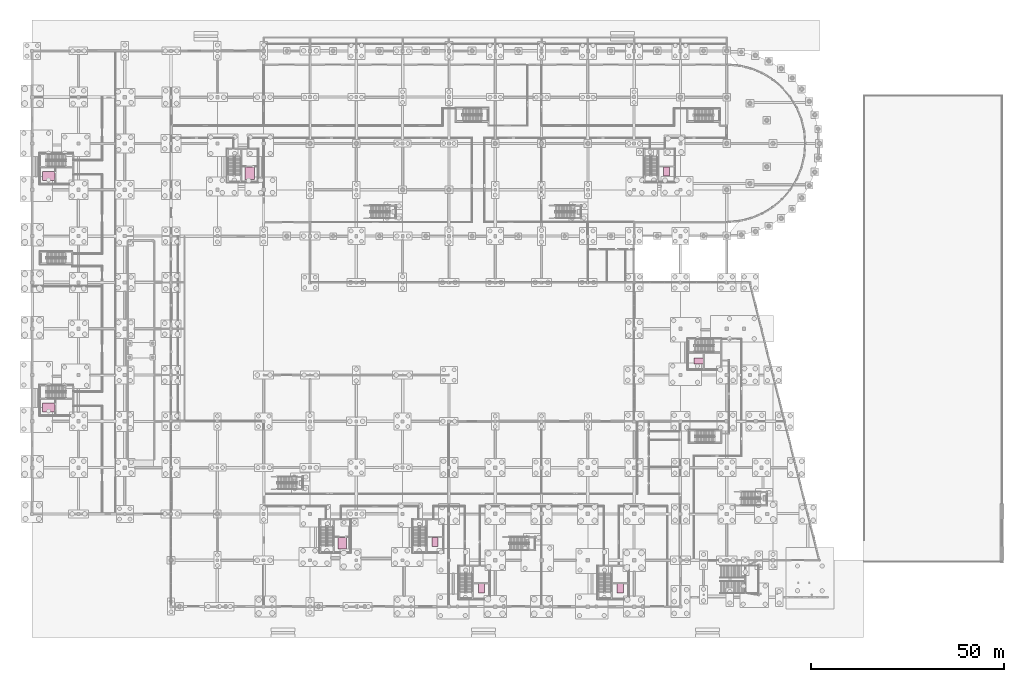
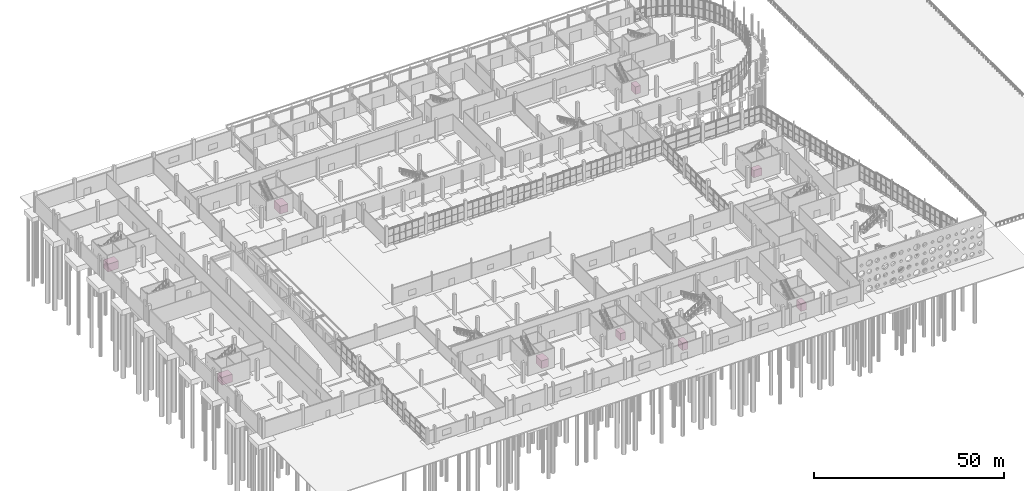
# One storey, part 117 of 117: 9 transport elements.
"""IFC4 building model written with IfcOpenShell, lengths in metres."""

import ifcopenshell
import ifcopenshell.guid

model = None  # the IFC model being written
_history = None  # IfcOwnerHistory: only IFC2X3 demands one
_inside = {}  # id of a spatial element -> (the spatial element, [elements in it])
_under = {}  # id of a project, library or spatial element -> (it, [spatial elements below it])
_declared = {}  # id of a project -> (the project, [libraries it declares])
_typed = {}  # id of a type object -> (the type object, [elements of that type])
_made_of = {}  # id of a material, layer set ... -> (it, [elements and type objects made of it])


def new_model(schema):
    """Start an empty IFC model of exactly this schema.

    Asked for "IFC4X3", IfcOpenShell would pick the latest addendum, in which some entities
    have other attributes; the version numbers below select the first issue.
    IFC2X3 requires an IfcOwnerHistory on every rooted entity: one is made here for all.
    """
    global model, _history
    if schema == "IFC4X3":
        model = ifcopenshell.file(schema_version=(4, 3, 0, 0))
    else:
        model = ifcopenshell.file(schema=schema)
    _inside.clear()
    _under.clear()
    _declared.clear()
    _typed.clear()
    _made_of.clear()
    _history = None
    if model.schema == "IFC2X3":
        org = make("IfcOrganization", Name="unknown")
        user = make(
            "IfcPersonAndOrganization",
            ThePerson=make("IfcPerson", FamilyName="unknown"),
            TheOrganization=org,
        )
        app = make(
            "IfcApplication",
            ApplicationDeveloper=org,
            Version="unknown",
            ApplicationFullName="unknown",
            ApplicationIdentifier="unknown",
        )
        _history = make(
            "IfcOwnerHistory",
            OwningUser=user,
            OwningApplication=app,
            ChangeAction="ADDED",
            CreationDate=0,
        )
    return model


def make(cls, **values):
    """One entity of the class cls with the attributes given. An attribute that is None is left unset."""
    return model.create_entity(
        cls, **{name: value for name, value in values.items() if value is not None}
    )


def rooted(cls, **values):
    """An entity with a GlobalId (a new one), such as an element, a storey or a relation."""
    return make(cls, GlobalId=ifcopenshell.guid.new(), OwnerHistory=_history, **values)


def si_unit(unit_type, name, prefix=None):
    """IfcSIUnit, for example si_unit("LENGTHUNIT", "METRE", prefix="MILLI")."""
    return make("IfcSIUnit", UnitType=unit_type, Prefix=prefix, Name=name)


def assignment(units):
    """IfcUnitAssignment: the units of a project."""
    return None if units is None else make("IfcUnitAssignment", Units=units)


def point(xyz):
    """IfcCartesianPoint."""
    return None if xyz is None else make("IfcCartesianPoint", Coordinates=xyz)


def direction(xyz):
    """IfcDirection."""
    return None if xyz is None else make("IfcDirection", DirectionRatios=xyz)


def frame(location, z_axis=None, x_axis=None):
    """IfcAxis2Placement3D, a coordinate frame: its origin and axes. An axis left out is left unset."""
    return make(
        "IfcAxis2Placement3D",
        Location=point(location),
        Axis=direction(z_axis),
        RefDirection=direction(x_axis),
    )


def frame_2d(location, x_axis=None):
    """IfcAxis2Placement2D, a coordinate frame in the plane: its origin and x axis."""
    return make(
        "IfcAxis2Placement2D", Location=point(location), RefDirection=direction(x_axis)
    )


def origin():
    """The frame at (0, 0, 0) with its axes left unset."""
    return frame((0.0, 0.0, 0.0))


def origin_2d():
    """The frame at (0, 0) in the plane with its x axis left unset."""
    return frame_2d((0.0, 0.0))


def place(relative_to, where):
    """IfcLocalPlacement: puts the frame where relative to a parent placement (None: the world)."""
    return make(
        "IfcLocalPlacement", PlacementRelTo=relative_to, RelativePlacement=where
    )


def context(
    kind, dimensions, precision=None, world=None, true_north=None, identifier=None
):
    """IfcGeometricRepresentationContext, for example the 3D "Model" context."""
    return make(
        "IfcGeometricRepresentationContext",
        ContextIdentifier=identifier,
        ContextType=kind,
        CoordinateSpaceDimension=dimensions,
        Precision=precision,
        WorldCoordinateSystem=world,
        TrueNorth=true_north,
    )


def subcontext(parent, identifier, kind, view, scale=None):
    """IfcGeometricRepresentationSubContext, for example "Body" below "Model"."""
    return make(
        "IfcGeometricRepresentationSubContext",
        ContextIdentifier=identifier,
        ContextType=kind,
        ParentContext=parent,
        TargetScale=scale,
        TargetView=view,
    )


def project(units=None, contexts=None):
    """IfcProject with its units and contexts."""
    return rooted(
        "IfcProject",
        Name="project",
        RepresentationContexts=contexts,
        UnitsInContext=assignment(units),
    )


def spatial(cls, under=None, at=None, **own):
    """A site, building, storey or space (cls), placed at a placement, below another one or the project."""
    s = rooted(cls, ObjectPlacement=at, **own)
    if under is not None:
        _under.setdefault(under.id(), (under, []))[1].append(s)
    return s


def profile(cls, at=None, kind="AREA", **sizes):
    """A parametric profile (cls). Its sizes go by their IFC names, for example OverallWidth=200.0."""
    return make(cls, ProfileType=kind, Position=at, **sizes)


def rectangle(**sizes):
    """IfcRectangleProfileDef."""
    return profile("IfcRectangleProfileDef", **sizes)


def extrude(swept, where, along, depth):
    """IfcExtrudedAreaSolid: the profile swept, set in the frame where, extruded along a direction by depth."""
    return make(
        "IfcExtrudedAreaSolid",
        SweptArea=swept,
        Position=where,
        ExtrudedDirection=direction(along),
        Depth=depth,
    )


def shape(context_of_items, identifier, shape_type, items):
    """IfcShapeRepresentation: the items that make up one representation, for example the "Body"."""
    return make(
        "IfcShapeRepresentation",
        ContextOfItems=context_of_items,
        RepresentationIdentifier=identifier,
        RepresentationType=shape_type,
        Items=items,
    )


def material(Name=None, Category=None):
    """IfcMaterial."""
    return make("IfcMaterial", Name=Name, Category=Category)


def made_of(thing, what):
    """Note that an element or type object is made of a material, layer set ...; save() writes the relation."""
    if what is not None:
        _made_of.setdefault(what.id(), (what, []))[1].append(thing)
    return thing


def type_object(cls, material=None, **own):
    """A type object (cls), such as IfcWallType, which elements share."""
    return made_of(rooted(cls, **own), material)


def element(
    cls,
    number,
    at=None,
    inside=None,
    cuts=None,
    type_object=None,
    material=None,
    context=None,
    identifier="Body",
    shape_type=None,
    held_by="IfcProductDefinitionShape",
    body=None,
    shapes=None,
    **own,
):
    """One element of the class cls, such as IfcWall. Its Tag is "e" and its number.

    at: its placement. inside: the storey or other place that contains it. cuts: it is an
    opening in that element (IfcRelVoidsElement). A single representation is given by context,
    identifier, shape_type and body (its items); several are given by shapes. held_by: the class
    of the entity that holds the representations. save() writes the other relations.
    """
    e = rooted(cls, Tag="e%d" % number, ObjectPlacement=at, **own)
    if body is not None:
        shapes = [shape(context, identifier, shape_type, body)]
    if shapes is not None:
        e.Representation = make(held_by, Representations=shapes)
    if inside is not None:
        _inside.setdefault(inside.id(), (inside, []))[1].append(e)
    if cuts is not None:
        rooted(
            "IfcRelVoidsElement", RelatingBuildingElement=cuts, RelatedOpeningElement=e
        )
    if type_object is not None:
        _typed.setdefault(type_object.id(), (type_object, []))[1].append(e)
    return made_of(e, material)


def aggregate(whole, parts):
    """IfcRelAggregates: a whole, such as a stair, and the parts it consists of."""
    return rooted("IfcRelAggregates", RelatingObject=whole, RelatedObjects=parts)


def save(model, path):
    """Write the relations noted so far, then the file.

    IfcRelAggregates (storeys below a building ...), IfcRelContainedInSpatialStructure (elements
    in a storey), IfcRelDefinesByType, IfcRelAssociatesMaterial and IfcRelDeclares: one each for
    every whole, place, type object, material and project.
    """
    for whole, parts in _under.values():
        aggregate(whole, parts)
    for where, things in _inside.values():
        rooted(
            "IfcRelContainedInSpatialStructure",
            RelatedElements=things,
            RelatingStructure=where,
        )
    for kind, things in _typed.values():
        rooted("IfcRelDefinesByType", RelatedObjects=things, RelatingType=kind)
    for what, things in _made_of.values():
        rooted("IfcRelAssociatesMaterial", RelatedObjects=things, RelatingMaterial=what)
    for by, libraries in _declared.values():
        rooted("IfcRelDeclares", RelatingContext=by, RelatedDefinitions=libraries)
    model.write(path)


model = new_model("IFC4")

# Units and contexts
model_context = context("Model", 3, precision=1e-05, world=origin(), true_north=direction((0.0, 1.0)))
body_context = subcontext(model_context, "Body", "Model", "MODEL_VIEW")
ifc_project = project(units=[si_unit("LENGTHUNIT", "METRE"), si_unit("AREAUNIT", "SQUARE_METRE"), si_unit("VOLUMEUNIT", "CUBIC_METRE"), si_unit("PLANEANGLEUNIT", "RADIAN"), si_unit("MASSUNIT", "GRAM", prefix="KILO")], contexts=[model_context])

# Site, building, storey
site_placement = place(None, origin())
site = spatial("IfcSite", under=ifc_project, at=site_placement, CompositionType="ELEMENT")
building_placement = place(site_placement, origin())
building = spatial("IfcBuilding", under=site, at=building_placement, Name="Kamomehara Wholesale Market", CompositionType="ELEMENT")
storey_placement = place(building_placement, origin())
storey = spatial("IfcBuildingStorey", under=building, at=storey_placement, Name="L00", CompositionType="ELEMENT", Elevation=0.0)

# Transport elements
ifc_material_1 = material(Name="Steel SN400B", Category="steel")
transport_element_type_1 = type_object("IfcTransportElementType", Name="LFT-GDS-3000", PredefinedType="ELEVATOR", material=ifc_material_1)
transport_element_placement = place(storey_placement, frame((80.409912109375, 28.419921875, 0.0), z_axis=(0.0, 0.0, 1.0), x_axis=(1.0, 0.0, 0.0)))
element("IfcTransportElement", 1, at=transport_element_placement, inside=storey, type_object=transport_element_type_1, Name="Goods lift car LF-04", PredefinedType="ELEVATOR", context=body_context, shape_type="SweptSolid", body=[
    extrude(rectangle(XDim=2.199951171875, YDim=3.0, at=origin_2d()), origin(), (0.0, 0.0, 1.0), 2.5),
])
ifc_material_2 = material(Name="Steel SN400B", Category="steel")
transport_element_type_2 = type_object("IfcTransportElementType", Name="LFT-GDS-3500", PredefinedType="ELEVATOR", material=ifc_material_2)
for number, where, z_axis, x_axis, name in (
    (2, (56.409912109375, 124.320068359375, 0.0), (0.0, 0.0, 1.0), (1.0, 0.0, 0.0), "Goods lift car LF-01"),
    (3, (4.320068359375, 63.590087890625, 0.0), (0.0, 0.0, 1.0), (0.0, 1.0, 0.0), "Goods lift car LF-02"),
    (4, (4.320068359375, 123.590087890625, 0.0), (0.0, 0.0, 1.0), (0.0, 1.0, 0.0), "Goods lift car LF-03"),
):
    element("IfcTransportElement", number, at=place(storey_placement, frame(where, z_axis=z_axis, x_axis=x_axis)), inside=storey, type_object=transport_element_type_2, Name=name, PredefinedType="ELEVATOR", context=body_context, shape_type="SweptSolid", body=[
        extrude(rectangle(XDim=2.39990234375, YDim=3.199951171875, at=origin_2d()), origin(), (0.0, 0.0, 1.0), 2.5),
    ])
ifc_material_3 = material(Name="Steel SN400B", Category="steel")
transport_element_type_3 = type_object("IfcTransportElementType", Name="LFT-PAX-1600", PredefinedType="ELEVATOR", material=ifc_material_3)
for number, where, z_axis, x_axis, name in (
    (5, (164.409912109375, 124.719970703125, 0.0), (0.0, 0.0, 1.0), (1.0, 0.0, 0.0), "Passenger lift car LP-01"),
    (6, (104.409912109375, 28.719970703125, 0.0), (0.0, 0.0, 1.0), (1.0, 0.0, 0.0), "Passenger lift car LP-02"),
    (7, (116.409912109375, 16.719970703125, 0.0), (0.0, 0.0, 1.0), (1.0, 0.0, 0.0), "Passenger lift car LP-03"),
    (8, (152.409912109375, 16.719970703125, 0.0), (0.0, 0.0, 1.0), (1.0, 0.0, 0.0), "Passenger lift car LP-04"),
    (9, (172.719970703125, 75.590087890625, 0.0), (0.0, 0.0, 1.0), (0.0, 1.0, 0.0), "Passenger lift car LP-05"),
):
    element("IfcTransportElement", number, at=place(storey_placement, frame(where, z_axis=z_axis, x_axis=x_axis)), inside=storey, type_object=transport_element_type_3, Name=name, PredefinedType="ELEVATOR", context=body_context, shape_type="SweptSolid", body=[
        extrude(rectangle(XDim=1.60009765625, YDim=2.39990234375, at=origin_2d()), origin(), (0.0, 0.0, 1.0), 2.39990234375),
    ])

save(model, "model.ifc")
